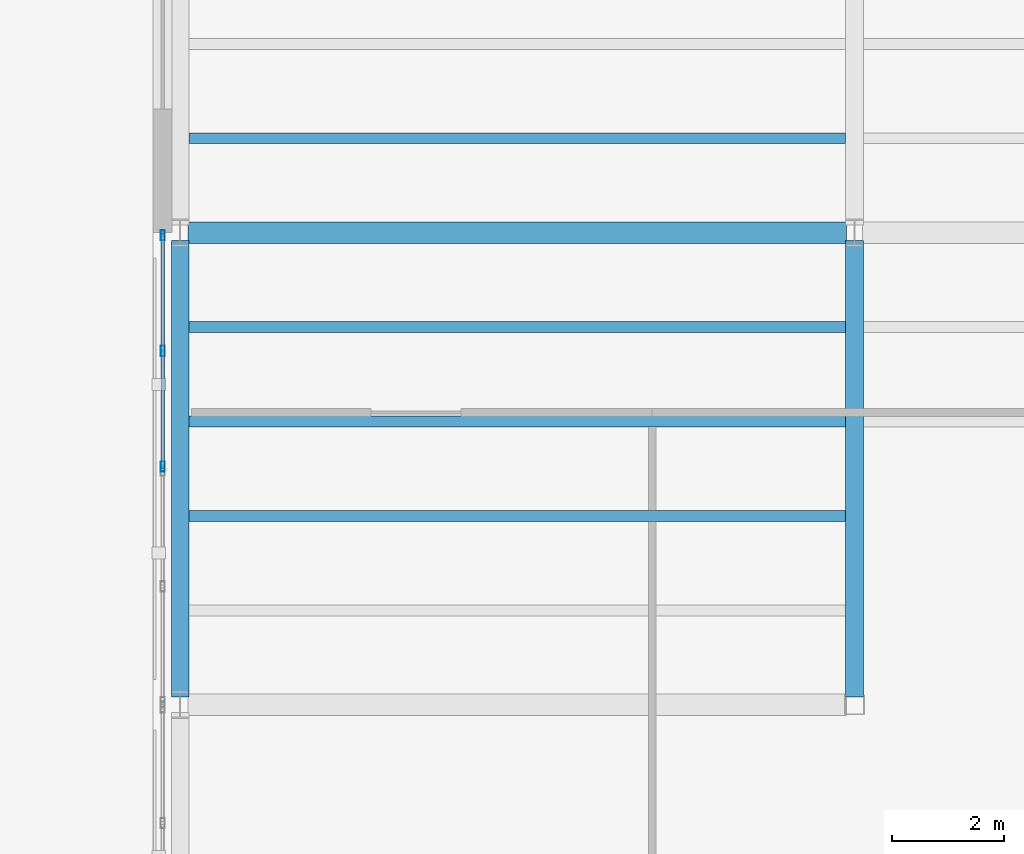
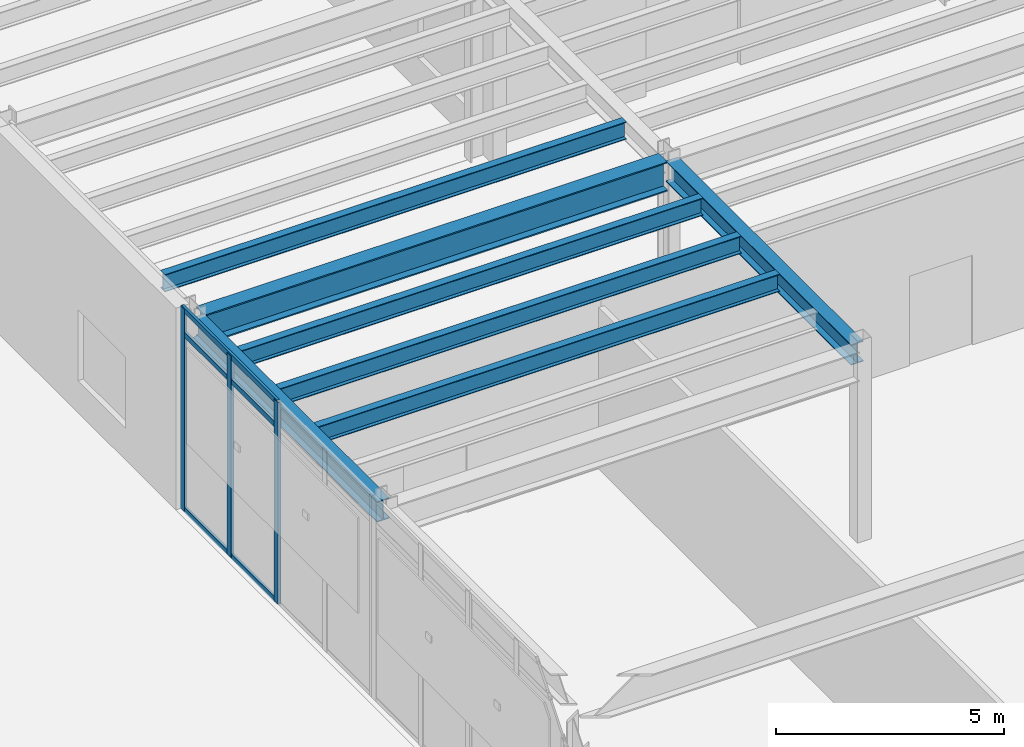
# One storey, part 31 of 94: 7 beams, 6 members, 1 element without a shape of its own.
"""IFC4 building model written with IfcOpenShell, lengths in metres."""

from ifc_helpers import new_model, si_unit, direction, frame, origin, origin_2d, place, context, subcontext, project, spatial, hollow_rectangle, i_section, extrude, material, layer, layer_set, material_profile, profile_set, type_object, element, aggregate, save


model = new_model("IFC4")

# Units and contexts
model_context = context("Model", 3, precision=1e-05, world=origin(), true_north=direction((0.0, 1.0)))
body_context = subcontext(model_context, "Body", "Model", "MODEL_VIEW")
ifc_project = project(units=[si_unit("LENGTHUNIT", "METRE"), si_unit("AREAUNIT", "SQUARE_METRE"), si_unit("VOLUMEUNIT", "CUBIC_METRE"), si_unit("PLANEANGLEUNIT", "RADIAN"), si_unit("MASSUNIT", "GRAM", prefix="KILO")], contexts=[model_context])

# Site, building, storey
site_placement = place(None, origin())
site = spatial("IfcSite", under=ifc_project, at=site_placement, CompositionType="ELEMENT")
building_placement = place(site_placement, origin())
building = spatial("IfcBuilding", under=site, at=building_placement, Name="Sollismere Congress Hotel", CompositionType="ELEMENT")
storey_placement = place(building_placement, origin())
storey = spatial("IfcBuildingStorey", under=building, at=storey_placement, Name="L00", CompositionType="ELEMENT", Elevation=0.0)

# Beams
ifc_material_1 = material(Name="Steel ASTM A992 Grade 50", Category="steel")
ifc_material_profile_1 = material_profile(ifc_material_1, i_section(OverallWidth=0.31494140625, OverallDepth=0.551025390625, WebThickness=0.01513671875, FlangeThickness=0.0244140625, at=origin_2d()), Name="W21X122")
ifc_profile_set_1 = profile_set([ifc_material_profile_1], Name="Steel ASTM A992 Grade 50")
beam_type_1 = type_object("IfcBeamType", Name="BM-G21H", PredefinedType="BEAM", material=ifc_profile_set_1)
for number, where, z_axis, x_axis, name in (
    (1, (112.0, 50.139892578125, 4.839599609375), (0.0, 1.0, 0.0), (-1.0, 0.0, 0.0), "Beam BM-L00-1281"),
    (2, (124.0, 50.139892578125, 4.839599609375), (0.0, 1.0, 0.0), (-1.0, 0.0, 0.0), "Beam BM-L00-1291"),
):
    element("IfcBeam", number, at=place(storey_placement, frame(where, z_axis=z_axis, x_axis=x_axis)), inside=storey, type_object=beam_type_1, Name=name, PredefinedType="BEAM", context=body_context, shape_type="SweptSolid", body=[
        extrude(i_section(OverallWidth=0.31494140625, OverallDepth=0.551025390625, WebThickness=0.01513671875, FlangeThickness=0.0244140625, at=origin_2d()), origin(), (0.0, 0.0, 1.0), 8.1201171875),
    ])
ifc_material_profile_2 = material_profile(ifc_material_1, i_section(OverallWidth=0.384033203125, OverallDepth=0.787109375, WebThickness=0.019775390625, FlangeThickness=0.033447265625, at=origin_2d()), Name="W30X211")
ifc_profile_set_2 = profile_set([ifc_material_profile_2], Name="Steel ASTM A992 Grade 50")
beam_type_2 = type_object("IfcBeamType", Name="BM-G30", PredefinedType="BEAM", material=ifc_profile_set_2)
beam_placement = place(storey_placement, frame((112.139892578125, 58.39990234375, 4.721435546875), z_axis=(1.0, 0.0, 0.0), x_axis=(0.0, 1.0, 0.0)))
element("IfcBeam", 3, at=beam_placement, inside=storey, type_object=beam_type_2, Name="Beam BM-L00-1182", PredefinedType="BEAM", context=body_context, shape_type="SweptSolid", body=[
    extrude(i_section(OverallWidth=0.384033203125, OverallDepth=0.787109375, WebThickness=0.019775390625, FlangeThickness=0.033447265625, at=origin_2d()), origin(), (0.0, 0.0, 1.0), 11.72021484375),
])
ifc_material_profile_3 = material_profile(ifc_material_1, i_section(OverallWidth=0.193115234375, OverallDepth=0.467041015625, WebThickness=0.011474609375, FlangeThickness=0.01904296875, at=origin_2d()), Name="W18X65")
ifc_profile_set_3 = profile_set([ifc_material_profile_3], Name="Steel ASTM A992 Grade 50")
beam_type_3 = type_object("IfcBeamType", Name="BM-J18", PredefinedType="JOIST", material=ifc_profile_set_3)
for number, where, z_axis, x_axis, name in (
    (4, (112.157470703125, 53.360107421875, 4.881591796875), (1.0, 0.0, 0.0), (0.0, 1.0, 0.0), "Beam BM-L00-1443"),
    (5, (112.157470703125, 55.0400390625, 4.881591796875), (1.0, 0.0, 0.0), (0.0, 1.0, 0.0), "Beam BM-L00-1444"),
    (6, (112.157470703125, 56.719970703125, 4.881591796875), (1.0, 0.0, 0.0), (0.0, 1.0, 0.0), "Beam BM-L00-1445"),
    (7, (112.157470703125, 60.080078125, 4.881591796875), (1.0, 0.0, 0.0), (0.0, 1.0, 0.0), "Beam BM-L00-1446"),
):
    element("IfcBeam", number, at=place(storey_placement, frame(where, z_axis=z_axis, x_axis=x_axis)), inside=storey, type_object=beam_type_3, Name=name, PredefinedType="JOIST", context=body_context, shape_type="SweptSolid", body=[
        extrude(i_section(OverallWidth=0.193115234375, OverallDepth=0.467041015625, WebThickness=0.011474609375, FlangeThickness=0.01904296875, at=origin_2d()), origin(), (0.0, 0.0, 1.0), 11.68505859375),
    ])

# Curtain wall, members
ifc_material_2 = material(Name="Anodized Bronze Curtain Wall & Low-E Triple Glazing", Category="glass")
ifc_layer = layer(ifc_material_2, 0.199951171875, Name="Anodized Bronze Curtain Wall & Low-E Triple Glazing")
ifc_layer_set = layer_set([ifc_layer], Name="Anodized Bronze Curtain Wall & Low-E Triple Glazing")
curtain_wall_type = type_object("IfcCurtainWallType", Name="CW-GLZ36", PredefinedType="USERDEFINED", material=ifc_layer_set)
curtain_wall_placement = place(storey_placement, origin())
curtain_wall = element("IfcCurtainWall", 8, at=curtain_wall_placement, inside=storey, type_object=curtain_wall_type, Name="Unitised curtain wall CW-L00-140", ObjectType="UNITISED CURTAIN WALL", PredefinedType="USERDEFINED")
ifc_material_3 = material(Name="Anodized Aluminum 6063-T6", Category="aluminium")
ifc_material_profile_4 = material_profile(ifc_material_3, hollow_rectangle(XDim=0.074951171875, YDim=0.179931640625, WallThickness=0.0048828125, at=origin_2d()), Name="ALU180X75X5")
ifc_profile_set_4 = profile_set([ifc_material_profile_4], Name="Anodized Aluminum 6063-T6")
member_type_1 = type_object("IfcMemberType", Name="ML-CW180", PredefinedType="MULLION", material=ifc_profile_set_4)
member_1_placement = place(storey_placement, frame((111.68994140625, 54.238037109375, 0.0), z_axis=(0.0, 0.0, 1.0), x_axis=(-1.0, 0.0, 0.0)))
member_1 = element("IfcMember", 9, at=member_1_placement, type_object=member_type_1, Name="CWL-CW-L00-140-ML01", PredefinedType="MULLION", context=body_context, shape_type="SweptSolid", body=[
    extrude(hollow_rectangle(XDim=0.074951171875, YDim=0.179931640625, WallThickness=0.0048828125, at=origin_2d()), origin(), (0.0, 0.0, 1.0), 5.39990234375),
])
member_2_placement = place(storey_placement, frame((111.68994140625, 56.294921875, 0.0), z_axis=(0.0, 0.0, 1.0), x_axis=(-1.0, 0.0, 0.0)))
member_2 = element("IfcMember", 10, at=member_2_placement, type_object=member_type_1, Name="CWL-CW-L00-140-ML02", PredefinedType="MULLION", context=body_context, shape_type="SweptSolid", body=[
    extrude(hollow_rectangle(XDim=0.074951171875, YDim=0.179931640625, WallThickness=0.0048828125, at=origin_2d()), origin(), (0.0, 0.0, 1.0), 5.39990234375),
])
member_3_placement = place(storey_placement, frame((111.68994140625, 58.35205078125, 0.0), z_axis=(0.0, 0.0, 1.0), x_axis=(-1.0, 0.0, 0.0)))
member_3 = element("IfcMember", 11, at=member_3_placement, type_object=member_type_1, Name="CWL-CW-L00-140-ML03", PredefinedType="MULLION", context=body_context, shape_type="SweptSolid", body=[
    extrude(hollow_rectangle(XDim=0.074951171875, YDim=0.179931640625, WallThickness=0.0048828125, at=origin_2d()), origin(), (0.0, 0.0, 1.0), 5.39990234375),
])
ifc_material_profile_5 = material_profile(ifc_material_3, hollow_rectangle(XDim=0.06494140625, YDim=0.139892578125, WallThickness=0.00390625, at=origin_2d()), Name="ALU140X65X4")
ifc_profile_set_5 = profile_set([ifc_material_profile_5], Name="Anodized Aluminum 6063-T6")
member_type_2 = type_object("IfcMemberType", Name="TR-CW150", PredefinedType="MEMBER", material=ifc_profile_set_5)
member_4_placement = place(storey_placement, frame((111.68994140625, 54.199951171875, 0.032470703125), z_axis=(0.0, 1.0, 0.0), x_axis=(-1.0, 0.0, 0.0)))
member_4 = element("IfcMember", 12, at=member_4_placement, type_object=member_type_2, Name="CWL-CW-L00-140-TR1", PredefinedType="MEMBER", context=body_context, shape_type="SweptSolid", body=[
    extrude(hollow_rectangle(XDim=0.06494140625, YDim=0.139892578125, WallThickness=0.00390625, at=origin_2d()), origin(), (0.0, 0.0, 1.0), 4.18994140625),
])
member_5_placement = place(storey_placement, frame((111.68994140625, 54.199951171875, 4.719970703125), z_axis=(0.0, 1.0, 0.0), x_axis=(-1.0, 0.0, 0.0)))
member_5 = element("IfcMember", 13, at=member_5_placement, type_object=member_type_2, Name="CWL-CW-L00-140-TR2", PredefinedType="MEMBER", context=body_context, shape_type="SweptSolid", body=[
    extrude(hollow_rectangle(XDim=0.06494140625, YDim=0.139892578125, WallThickness=0.00390625, at=origin_2d()), origin(), (0.0, 0.0, 1.0), 4.18994140625),
])
member_6_placement = place(storey_placement, frame((111.68994140625, 54.199951171875, 5.367431640625), z_axis=(0.0, 1.0, 0.0), x_axis=(-1.0, 0.0, 0.0)))
member_6 = element("IfcMember", 14, at=member_6_placement, type_object=member_type_2, Name="CWL-CW-L00-140-TR3", PredefinedType="MEMBER", context=body_context, shape_type="SweptSolid", body=[
    extrude(hollow_rectangle(XDim=0.06494140625, YDim=0.139892578125, WallThickness=0.00390625, at=origin_2d()), origin(), (0.0, 0.0, 1.0), 4.18994140625),
])
aggregate(curtain_wall, [member_1, member_2, member_3, member_4, member_5, member_6])

save(model, "model.ifc")
